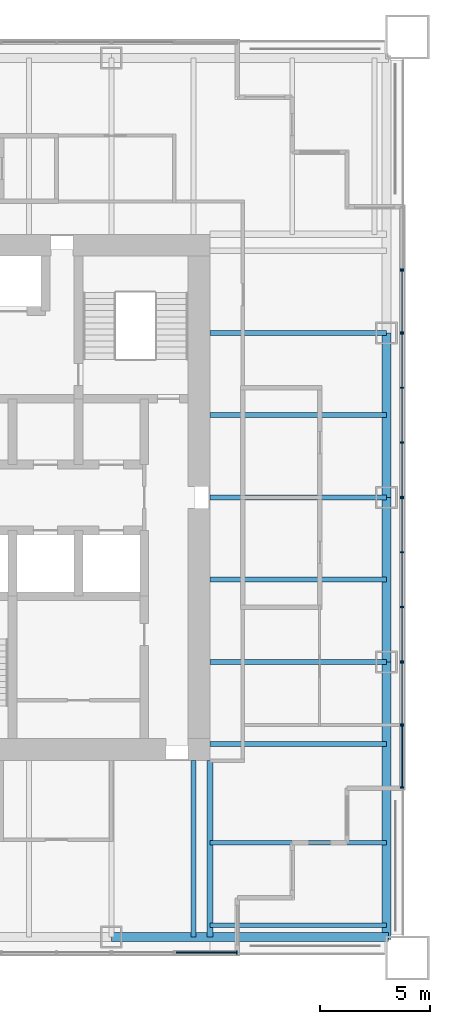
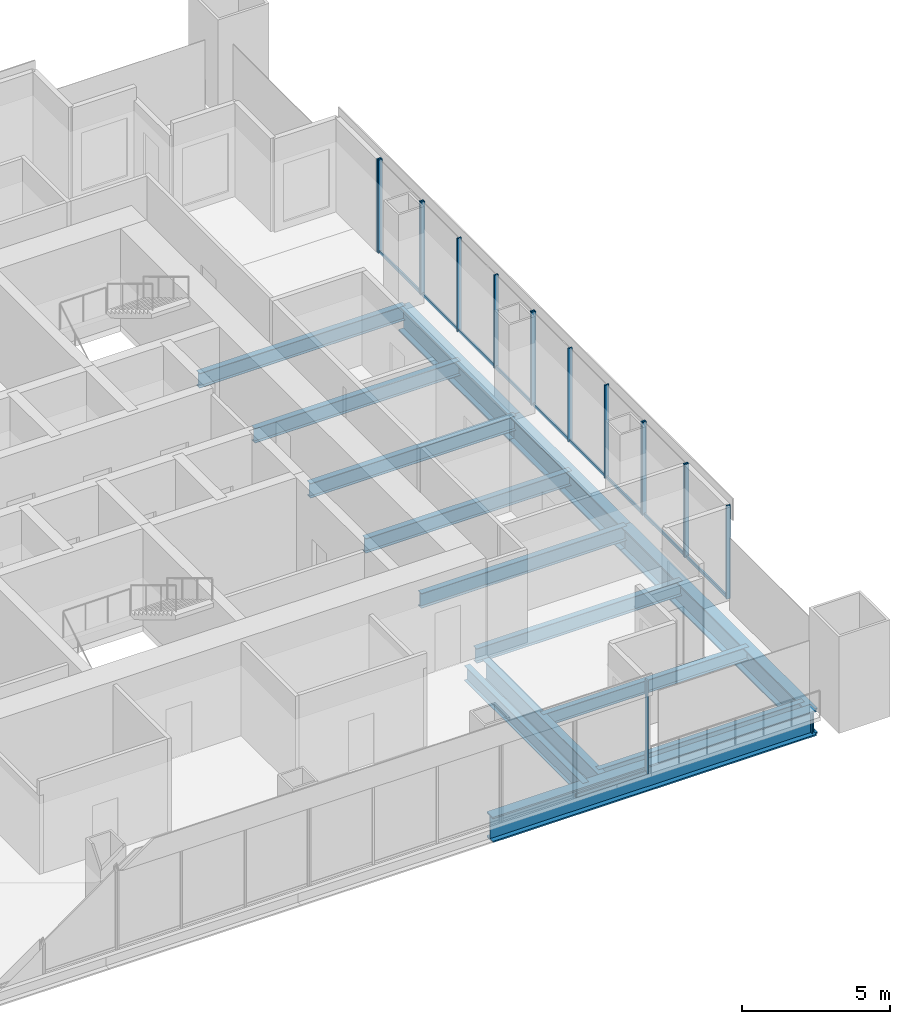
# One storey, part 5 of 14: 26 members, 14 beams, 7 elements without a shape of their own.
"""IFC4 building model written with IfcOpenShell, lengths in metres."""

from ifc_helpers import new_model, si_unit, direction, frame, origin, origin_2d, place, context, subcontext, project, spatial, rectangle, i_section, extrude, material, material_profile, profile_set, type_object, element, aggregate, save


model = new_model("IFC4")

# Units and contexts
model_context = context("Model", 3, precision=1e-05, world=origin(), true_north=direction((0.0, 1.0)))
body_context = subcontext(model_context, "Body", "Model", "MODEL_VIEW")
ifc_project = project(units=[si_unit("LENGTHUNIT", "METRE"), si_unit("AREAUNIT", "SQUARE_METRE"), si_unit("VOLUMEUNIT", "CUBIC_METRE"), si_unit("PLANEANGLEUNIT", "RADIAN"), si_unit("MASSUNIT", "GRAM", prefix="KILO")], contexts=[model_context])

# Site, building, storey
site_placement = place(None, origin())
site = spatial("IfcSite", under=ifc_project, at=site_placement, CompositionType="ELEMENT")
building_placement = place(site_placement, origin())
building = spatial("IfcBuilding", under=site, at=building_placement, Name="Tarangal Relay Tower", CompositionType="ELEMENT")
storey_placement = place(building_placement, frame((0.0, 0.0, 327.89990234375)))
storey = spatial("IfcBuildingStorey", under=building, at=storey_placement, Name="L73", CompositionType="ELEMENT", Elevation=327.89990234375)

# Beams
ifc_material_1 = material(Name="Steel ASTM A992", Category="steel")
ifc_material_profile_1 = material_profile(ifc_material_1, i_section(OverallWidth=0.209228515625, OverallDepth=0.533447265625, WebThickness=0.01025390625, FlangeThickness=0.015625, at=origin_2d()), Name="W21X62")
ifc_profile_set_1 = profile_set([ifc_material_profile_1], Name="Steel ASTM A992")
beam_type_1 = type_object("IfcBeamType", Name="Corner beam W21X62", PredefinedType="JOIST", material=ifc_profile_set_1)
for number, where, z_axis, x_axis, name in (
    (1, (12.0, -15.75, -0.41650390625), (1.0, 0.0, 0.0), (0.0, 1.0, 0.0), "Corner beam CB12 E L73"),
    (2, (12.0, -19.5, -0.41650390625), (1.0, 0.0, 0.0), (0.0, 1.0, 0.0), "Corner beam CB12 E L73"),
):
    element("IfcBeam", number, at=place(storey_placement, frame(where, z_axis=z_axis, x_axis=x_axis)), inside=storey, type_object=beam_type_1, Name=name, PredefinedType="JOIST", context=body_context, shape_type="SweptSolid", body=[
        extrude(i_section(OverallWidth=0.209228515625, OverallDepth=0.533447265625, WebThickness=0.01025390625, FlangeThickness=0.015625, at=origin_2d()), origin(), (0.0, 0.0, 1.0), 8.0400390625),
    ])
ifc_material_profile_2 = material_profile(ifc_material_1, i_section(OverallWidth=0.2919921875, OverallDepth=0.8408203125, WebThickness=0.0146484375, FlangeThickness=0.021728515625, at=origin_2d()), Name="W33X130")
ifc_profile_set_2 = profile_set([ifc_material_profile_2], Name="Steel ASTM A992")
beam_type_2 = type_object("IfcBeamType", Name="Corner girder W33X130", PredefinedType="BEAM", material=ifc_profile_set_2)
beam_placement = place(storey_placement, frame((12.0, -12.0, -0.5703125), z_axis=(0.0, -1.0, 0.0), x_axis=(1.0, 0.0, 0.0)))
element("IfcBeam", 3, at=beam_placement, inside=storey, type_object=beam_type_2, Name="Corner girder CG5 E L73", PredefinedType="BEAM", context=body_context, shape_type="SweptSolid", body=[
    extrude(i_section(OverallWidth=0.2919921875, OverallDepth=0.8408203125, WebThickness=0.0146484375, FlangeThickness=0.021728515625, at=origin_2d()), origin(), (0.0, 0.0, 1.0), 8.0400390625),
])
ifc_material_profile_3 = material_profile(ifc_material_1, i_section(OverallWidth=0.41162109375, OverallDepth=1.049072265625, WebThickness=0.033935546875, FlangeThickness=0.059814453125, at=origin_2d()), Name="W40X431")
ifc_profile_set_3 = profile_set([ifc_material_profile_3], Name="Steel ASTM A992")
beam_type_3 = type_object("IfcBeamType", Name="Edge girder W40X431", PredefinedType="SPANDREL", material=ifc_profile_set_3)
for number, where, z_axis, x_axis, name in (
    (4, (20.0400390625, 7.5, -0.67431640625), (0.0, -1.0, 0.0), (1.0, 0.0, 0.0), "Edge girder EG1 E L73"),
    (5, (20.0400390625, 0.0, -0.67431640625), (0.0, -1.0, 0.0), (1.0, 0.0, 0.0), "Edge girder EG1 E L73"),
):
    element("IfcBeam", number, at=place(storey_placement, frame(where, z_axis=z_axis, x_axis=x_axis)), inside=storey, type_object=beam_type_3, Name=name, PredefinedType="SPANDREL", context=body_context, shape_type="SweptSolid", body=[
        extrude(i_section(OverallWidth=0.41162109375, OverallDepth=1.049072265625, WebThickness=0.033935546875, FlangeThickness=0.059814453125, at=origin_2d()), origin(), (0.0, 0.0, 1.0), 7.5),
    ])
for number, where, z_axis, x_axis, name in (
    (6, (20.0400390625, -7.5, -0.67431640625), (0.0, -1.0, 0.0), (1.0, 0.0, 0.0), "Edge girder EG1 E L73"),
    (7, (20.14990234375, -20.0400390625, -0.67431640625), (-1.0, 0.0, 0.0), (0.0, -1.0, 0.0), "Edge girder EG1 S L73"),
):
    element("IfcBeam", number, at=place(storey_placement, frame(where, z_axis=z_axis, x_axis=x_axis)), inside=storey, type_object=beam_type_3, Name=name, PredefinedType="SPANDREL", context=body_context, shape_type="SweptSolid", body=[
        extrude(i_section(OverallWidth=0.41162109375, OverallDepth=1.049072265625, WebThickness=0.033935546875, FlangeThickness=0.059814453125, at=origin_2d()), origin(), (0.0, 0.0, 1.0), 12.64990234375),
    ])
ifc_material_profile_4 = material_profile(ifc_material_1, i_section(OverallWidth=0.228271484375, OverallDepth=0.607177734375, WebThickness=0.01123046875, FlangeThickness=0.017333984375, at=origin_2d()), Name="W24X76")
ifc_profile_set_4 = profile_set([ifc_material_profile_4], Name="Steel ASTM A992")
beam_type_4 = type_object("IfcBeamType", Name="Floor beam W24X76", PredefinedType="BEAM", material=ifc_profile_set_4)
for number, where, z_axis, x_axis, name in (
    (8, (12.0, 7.5, -0.453369140625), (1.0, 0.0, 0.0), (0.0, 1.0, 0.0), "Floor beam RB5 E L73"),
    (9, (12.0, 3.75, -0.453369140625), (1.0, 0.0, 0.0), (0.0, 1.0, 0.0), "Floor beam RB5 E L73"),
    (10, (12.0, 0.0, -0.453369140625), (1.0, 0.0, 0.0), (0.0, 1.0, 0.0), "Floor beam RB5 E L73"),
    (11, (12.0, -3.75, -0.453369140625), (1.0, 0.0, 0.0), (0.0, 1.0, 0.0), "Floor beam RB5 E L73"),
    (12, (12.0, -7.5, -0.453369140625), (1.0, 0.0, 0.0), (0.0, 1.0, 0.0), "Floor beam RB5 E L73"),
    (13, (12.0, -11.25, -0.453369140625), (1.0, 0.0, 0.0), (0.0, 1.0, 0.0), "Floor beam RB5 E L73"),
    (14, (11.25, -12.0, -0.453369140625), (0.0, -1.0, 0.0), (1.0, 0.0, 0.0), "Floor beam RB5 S L73"),
):
    element("IfcBeam", number, at=place(storey_placement, frame(where, z_axis=z_axis, x_axis=x_axis)), inside=storey, type_object=beam_type_4, Name=name, PredefinedType="BEAM", context=body_context, shape_type="SweptSolid", body=[
        extrude(i_section(OverallWidth=0.228271484375, OverallDepth=0.607177734375, WebThickness=0.01123046875, FlangeThickness=0.017333984375, at=origin_2d()), origin(), (0.0, 0.0, 1.0), 8.0400390625),
    ])

# Curtain wall, members
ifc_material_2 = material(Name="Unitised curtain wall, dark glass and black aluminium", Category="aluminium")
curtain_wall_type_1 = type_object("IfcCurtainWallType", Name="Curtain wall CW-B", PredefinedType="USERDEFINED", material=ifc_material_2)
curtain_wall_1_placement = place(storey_placement, origin())
curtain_wall_1 = element("IfcCurtainWall", 15, at=curtain_wall_1_placement, inside=storey, type_object=curtain_wall_type_1, Name="Curtain wall CW-B E facade L73", ObjectType="UNITISED CURTAIN WALL", PredefinedType="USERDEFINED")
ifc_material_3 = material(Name="Black anodised aluminium mullion", Category="aluminium")
ifc_material_profile_5 = material_profile(ifc_material_3, rectangle(XDim=0.159912109375, YDim=0.06005859375, at=origin_2d()), Name="CW-BM 60X160")
ifc_profile_set_5 = profile_set([ifc_material_profile_5], Name="Black anodised aluminium mullion")
member_type_1 = type_object("IfcMemberType", Name="Mullion CW-B 60 x 160", PredefinedType="MULLION", material=ifc_profile_set_5)
member_1_placement = place(storey_placement, frame((20.75, 10.344970703125, 0.0), z_axis=(0.0, 0.0, 1.0), x_axis=(1.0, 0.0, 0.0)))
member_1 = element("IfcMember", 16, at=member_1_placement, type_object=member_type_1, Name="CW-B mullion 1", PredefinedType="MULLION", context=body_context, shape_type="SweptSolid", body=[
    extrude(rectangle(XDim=0.159912109375, YDim=0.06005859375, at=origin_2d()), origin(), (0.0, 0.0, 1.0), 3.85009765625),
])
member_2_placement = place(storey_placement, frame((20.75, 7.530029296875, 0.0), z_axis=(0.0, 0.0, 1.0), x_axis=(1.0, 0.0, 0.0)))
member_2 = element("IfcMember", 17, at=member_2_placement, type_object=member_type_1, Name="CW-B mullion 2", PredefinedType="MULLION", context=body_context, shape_type="SweptSolid", body=[
    extrude(rectangle(XDim=0.159912109375, YDim=0.06005859375, at=origin_2d()), origin(), (0.0, 0.0, 1.0), 3.85009765625),
])

curtain_wall_2_placement = place(storey_placement, origin())
curtain_wall_2 = element("IfcCurtainWall", 18, at=curtain_wall_2_placement, inside=storey, type_object=curtain_wall_type_1, Name="Curtain wall CW-B E facade L73", ObjectType="UNITISED CURTAIN WALL", PredefinedType="USERDEFINED")
member_3_placement = place(storey_placement, frame((20.75, 7.469970703125, 0.0), z_axis=(0.0, 0.0, 1.0), x_axis=(1.0, 0.0, 0.0)))
member_3 = element("IfcMember", 19, at=member_3_placement, type_object=member_type_1, Name="CW-B mullion 1", PredefinedType="MULLION", context=body_context, shape_type="SweptSolid", body=[
    extrude(rectangle(XDim=0.159912109375, YDim=0.06005859375, at=origin_2d()), origin(), (0.0, 0.0, 1.0), 3.85009765625),
])
member_4_placement = place(storey_placement, frame((20.75, 5.0, 0.0), z_axis=(0.0, 0.0, 1.0), x_axis=(1.0, 0.0, 0.0)))
member_4 = element("IfcMember", 20, at=member_4_placement, type_object=member_type_1, Name="CW-B mullion 2", PredefinedType="MULLION", context=body_context, shape_type="SweptSolid", body=[
    extrude(rectangle(XDim=0.159912109375, YDim=0.06005859375, at=origin_2d()), origin(), (0.0, 0.0, 1.0), 3.85009765625),
])
member_5_placement = place(storey_placement, frame((20.75, 2.5, 0.0), z_axis=(0.0, 0.0, 1.0), x_axis=(1.0, 0.0, 0.0)))
member_5 = element("IfcMember", 21, at=member_5_placement, type_object=member_type_1, Name="CW-B mullion 3", PredefinedType="MULLION", context=body_context, shape_type="SweptSolid", body=[
    extrude(rectangle(XDim=0.159912109375, YDim=0.06005859375, at=origin_2d()), origin(), (0.0, 0.0, 1.0), 3.85009765625),
])
member_6_placement = place(storey_placement, frame((20.75, 0.030029296875, 0.0), z_axis=(0.0, 0.0, 1.0), x_axis=(1.0, 0.0, 0.0)))
member_6 = element("IfcMember", 22, at=member_6_placement, type_object=member_type_1, Name="CW-B mullion 4", PredefinedType="MULLION", context=body_context, shape_type="SweptSolid", body=[
    extrude(rectangle(XDim=0.159912109375, YDim=0.06005859375, at=origin_2d()), origin(), (0.0, 0.0, 1.0), 3.85009765625),
])

curtain_wall_3_placement = place(storey_placement, origin())
curtain_wall_3 = element("IfcCurtainWall", 23, at=curtain_wall_3_placement, inside=storey, type_object=curtain_wall_type_1, Name="Curtain wall CW-B E facade L73", ObjectType="UNITISED CURTAIN WALL", PredefinedType="USERDEFINED")
member_7_placement = place(storey_placement, frame((20.75, -0.030029296875, 0.0), z_axis=(0.0, 0.0, 1.0), x_axis=(1.0, 0.0, 0.0)))
member_7 = element("IfcMember", 24, at=member_7_placement, type_object=member_type_1, Name="CW-B mullion 1", PredefinedType="MULLION", context=body_context, shape_type="SweptSolid", body=[
    extrude(rectangle(XDim=0.159912109375, YDim=0.06005859375, at=origin_2d()), origin(), (0.0, 0.0, 1.0), 3.85009765625),
])
member_8_placement = place(storey_placement, frame((20.75, -2.5, 0.0), z_axis=(0.0, 0.0, 1.0), x_axis=(1.0, 0.0, 0.0)))
member_8 = element("IfcMember", 25, at=member_8_placement, type_object=member_type_1, Name="CW-B mullion 2", PredefinedType="MULLION", context=body_context, shape_type="SweptSolid", body=[
    extrude(rectangle(XDim=0.159912109375, YDim=0.06005859375, at=origin_2d()), origin(), (0.0, 0.0, 1.0), 3.85009765625),
])
member_9_placement = place(storey_placement, frame((20.75, -5.0, 0.0), z_axis=(0.0, 0.0, 1.0), x_axis=(1.0, 0.0, 0.0)))
member_9 = element("IfcMember", 26, at=member_9_placement, type_object=member_type_1, Name="CW-B mullion 3", PredefinedType="MULLION", context=body_context, shape_type="SweptSolid", body=[
    extrude(rectangle(XDim=0.159912109375, YDim=0.06005859375, at=origin_2d()), origin(), (0.0, 0.0, 1.0), 3.85009765625),
])
member_10_placement = place(storey_placement, frame((20.75, -7.469970703125, 0.0), z_axis=(0.0, 0.0, 1.0), x_axis=(1.0, 0.0, 0.0)))
member_10 = element("IfcMember", 27, at=member_10_placement, type_object=member_type_1, Name="CW-B mullion 4", PredefinedType="MULLION", context=body_context, shape_type="SweptSolid", body=[
    extrude(rectangle(XDim=0.159912109375, YDim=0.06005859375, at=origin_2d()), origin(), (0.0, 0.0, 1.0), 3.85009765625),
])

curtain_wall_4_placement = place(storey_placement, origin())
curtain_wall_4 = element("IfcCurtainWall", 28, at=curtain_wall_4_placement, inside=storey, type_object=curtain_wall_type_1, Name="Curtain wall CW-B E facade L73", ObjectType="UNITISED CURTAIN WALL", PredefinedType="USERDEFINED")
member_11_placement = place(storey_placement, frame((20.75, -7.530029296875, 0.0), z_axis=(0.0, 0.0, 1.0), x_axis=(1.0, 0.0, 0.0)))
member_11 = element("IfcMember", 29, at=member_11_placement, type_object=member_type_1, Name="CW-B mullion 1", PredefinedType="MULLION", context=body_context, shape_type="SweptSolid", body=[
    extrude(rectangle(XDim=0.159912109375, YDim=0.06005859375, at=origin_2d()), origin(), (0.0, 0.0, 1.0), 3.85009765625),
])
member_12_placement = place(storey_placement, frame((20.75, -10.344970703125, 0.0), z_axis=(0.0, 0.0, 1.0), x_axis=(1.0, 0.0, 0.0)))
member_12 = element("IfcMember", 30, at=member_12_placement, type_object=member_type_1, Name="CW-B mullion 2", PredefinedType="MULLION", context=body_context, shape_type="SweptSolid", body=[
    extrude(rectangle(XDim=0.159912109375, YDim=0.06005859375, at=origin_2d()), origin(), (0.0, 0.0, 1.0), 3.85009765625),
])

# Curtain wall, member
ifc_material_4 = material(Name="Unitised curtain wall frame, black aluminium, with metal clad infill walls", Category="aluminium")
curtain_wall_type_2 = type_object("IfcCurtainWallType", Name="Curtain wall CW-BO", PredefinedType="USERDEFINED", material=ifc_material_4)
curtain_wall_5_placement = place(storey_placement, origin())
curtain_wall_5 = element("IfcCurtainWall", 31, at=curtain_wall_5_placement, inside=storey, type_object=curtain_wall_type_2, Name="Curtain wall CW-BO E facade L73", ObjectType="UNITISED CURTAIN WALL", PredefinedType="USERDEFINED")
ifc_material_profile_6 = material_profile(ifc_material_3, rectangle(XDim=0.159912109375, YDim=0.06005859375, at=origin_2d()), Name="CW-BOM 60X160")
ifc_profile_set_6 = profile_set([ifc_material_profile_6], Name="Black anodised aluminium mullion")
member_type_2 = type_object("IfcMemberType", Name="Mullion CW-BO 60 x 160", PredefinedType="MULLION", material=ifc_profile_set_6)
member_13_placement = place(storey_placement, frame((20.75, 10.405029296875, 0.0), z_axis=(0.0, 0.0, 1.0), x_axis=(1.0, 0.0, 0.0)))
member_13 = element("IfcMember", 32, at=member_13_placement, type_object=member_type_2, Name="CW-BO mullion 2", PredefinedType="MULLION", context=body_context, shape_type="SweptSolid", body=[
    extrude(rectangle(XDim=0.159912109375, YDim=0.06005859375, at=origin_2d()), origin(), (0.0, 0.0, 1.0), 3.85009765625),
])
aggregate(curtain_wall_5, [member_13])

# Curtain wall, members
curtain_wall_6_placement = place(storey_placement, origin())
curtain_wall_6 = element("IfcCurtainWall", 33, at=curtain_wall_6_placement, inside=storey, type_object=curtain_wall_type_2, Name="Curtain wall CW-BO E facade L73", ObjectType="UNITISED CURTAIN WALL", PredefinedType="USERDEFINED")
member_14_placement = place(storey_placement, frame((20.75, -10.405029296875, 0.0), z_axis=(0.0, 0.0, 1.0), x_axis=(1.0, 0.0, 0.0)))
member_14 = element("IfcMember", 34, at=member_14_placement, type_object=member_type_2, Name="CW-BO mullion 1", PredefinedType="MULLION", context=body_context, shape_type="SweptSolid", body=[
    extrude(rectangle(XDim=0.159912109375, YDim=0.06005859375, at=origin_2d()), origin(), (0.0, 0.0, 1.0), 3.85009765625),
])
member_15_placement = place(storey_placement, frame((20.75, -13.219970703125, 0.0), z_axis=(0.0, 0.0, 1.0), x_axis=(1.0, 0.0, 0.0)))
member_15 = element("IfcMember", 35, at=member_15_placement, type_object=member_type_2, Name="CW-BO mullion 2", PredefinedType="MULLION", context=body_context, shape_type="SweptSolid", body=[
    extrude(rectangle(XDim=0.159912109375, YDim=0.06005859375, at=origin_2d()), origin(), (0.0, 0.0, 1.0), 3.85009765625),
])

# Curtain wall, member
curtain_wall_7_placement = place(storey_placement, origin())
curtain_wall_7 = element("IfcCurtainWall", 36, at=curtain_wall_7_placement, inside=storey, type_object=curtain_wall_type_2, Name="Curtain wall CW-BO S facade L73", ObjectType="UNITISED CURTAIN WALL", PredefinedType="USERDEFINED")
member_16_placement = place(storey_placement, frame((13.219970703125, -20.75, 0.0), z_axis=(0.0, 0.0, 1.0), x_axis=(0.0, -1.0, 0.0)))
member_16 = element("IfcMember", 37, at=member_16_placement, type_object=member_type_2, Name="CW-BO mullion 1", PredefinedType="MULLION", context=body_context, shape_type="SweptSolid", body=[
    extrude(rectangle(XDim=0.159912109375, YDim=0.06005859375, at=origin_2d()), origin(), (0.0, 0.0, 1.0), 3.85009765625),
])

# Member
ifc_material_5 = material(Name="Black anodised aluminium transom", Category="aluminium")
ifc_material_profile_7 = material_profile(ifc_material_5, rectangle(XDim=0.06005859375, YDim=0.1298828125, at=origin_2d()), Name="CW-BT 60X130")
ifc_profile_set_7 = profile_set([ifc_material_profile_7], Name="Black anodised aluminium transom")
member_type_3 = type_object("IfcMemberType", Name="Transom CW-B 60 x 130", PredefinedType="USERDEFINED", material=ifc_profile_set_7)
member_17_placement = place(storey_placement, frame((20.75, 10.31494140625, 0.030029296875), z_axis=(0.0, -1.0, 0.0), x_axis=(1.0, 0.0, 0.0)))
member_17 = element("IfcMember", 38, at=member_17_placement, type_object=member_type_3, Name="CW-B transom 1.1", ObjectType="TRANSOM", PredefinedType="USERDEFINED", context=body_context, shape_type="SweptSolid", body=[
    extrude(rectangle(XDim=0.06005859375, YDim=0.1298828125, at=origin_2d()), origin(), (0.0, 0.0, 1.0), 2.7548828125),
])

aggregate(curtain_wall_1, [member_1, member_2, member_17])

member_18_placement = place(storey_placement, frame((20.75, 7.43994140625, 0.030029296875), z_axis=(0.0, -1.0, 0.0), x_axis=(1.0, 0.0, 0.0)))
member_18 = element("IfcMember", 39, at=member_18_placement, type_object=member_type_3, Name="CW-B transom 1.1", ObjectType="TRANSOM", PredefinedType="USERDEFINED", context=body_context, shape_type="SweptSolid", body=[
    extrude(rectangle(XDim=0.06005859375, YDim=0.1298828125, at=origin_2d()), origin(), (0.0, 0.0, 1.0), 2.409912109375),
])

member_19_placement = place(storey_placement, frame((20.75, 4.969970703125, 0.030029296875), z_axis=(0.0, -1.0, 0.0), x_axis=(1.0, 0.0, 0.0)))
member_19 = element("IfcMember", 40, at=member_19_placement, type_object=member_type_3, Name="CW-B transom 2.1", ObjectType="TRANSOM", PredefinedType="USERDEFINED", context=body_context, shape_type="SweptSolid", body=[
    extrude(rectangle(XDim=0.06005859375, YDim=0.1298828125, at=origin_2d()), origin(), (0.0, 0.0, 1.0), 2.43994140625),
])

member_20_placement = place(storey_placement, frame((20.75, 2.469970703125, 0.030029296875), z_axis=(0.0, -1.0, 0.0), x_axis=(1.0, 0.0, 0.0)))
member_20 = element("IfcMember", 41, at=member_20_placement, type_object=member_type_3, Name="CW-B transom 3.1", ObjectType="TRANSOM", PredefinedType="USERDEFINED", context=body_context, shape_type="SweptSolid", body=[
    extrude(rectangle(XDim=0.06005859375, YDim=0.1298828125, at=origin_2d()), origin(), (0.0, 0.0, 1.0), 2.409912109375),
])

aggregate(curtain_wall_2, [member_3, member_4, member_5, member_6, member_18, member_19, member_20])

member_21_placement = place(storey_placement, frame((20.75, -0.06005859375, 0.030029296875), z_axis=(0.0, -1.0, 0.0), x_axis=(1.0, 0.0, 0.0)))
member_21 = element("IfcMember", 42, at=member_21_placement, type_object=member_type_3, Name="CW-B transom 1.1", ObjectType="TRANSOM", PredefinedType="USERDEFINED", context=body_context, shape_type="SweptSolid", body=[
    extrude(rectangle(XDim=0.06005859375, YDim=0.1298828125, at=origin_2d()), origin(), (0.0, 0.0, 1.0), 2.409912109375),
])

member_22_placement = place(storey_placement, frame((20.75, -2.530029296875, 0.030029296875), z_axis=(0.0, -1.0, 0.0), x_axis=(1.0, 0.0, 0.0)))
member_22 = element("IfcMember", 43, at=member_22_placement, type_object=member_type_3, Name="CW-B transom 2.1", ObjectType="TRANSOM", PredefinedType="USERDEFINED", context=body_context, shape_type="SweptSolid", body=[
    extrude(rectangle(XDim=0.06005859375, YDim=0.1298828125, at=origin_2d()), origin(), (0.0, 0.0, 1.0), 2.43994140625),
])

member_23_placement = place(storey_placement, frame((20.75, -5.030029296875, 0.030029296875), z_axis=(0.0, -1.0, 0.0), x_axis=(1.0, 0.0, 0.0)))
member_23 = element("IfcMember", 44, at=member_23_placement, type_object=member_type_3, Name="CW-B transom 3.1", ObjectType="TRANSOM", PredefinedType="USERDEFINED", context=body_context, shape_type="SweptSolid", body=[
    extrude(rectangle(XDim=0.06005859375, YDim=0.1298828125, at=origin_2d()), origin(), (0.0, 0.0, 1.0), 2.409912109375),
])

aggregate(curtain_wall_3, [member_7, member_8, member_9, member_10, member_21, member_22, member_23])

member_24_placement = place(storey_placement, frame((20.75, -7.56005859375, 0.030029296875), z_axis=(0.0, -1.0, 0.0), x_axis=(1.0, 0.0, 0.0)))
member_24 = element("IfcMember", 45, at=member_24_placement, type_object=member_type_3, Name="CW-B transom 1.1", ObjectType="TRANSOM", PredefinedType="USERDEFINED", context=body_context, shape_type="SweptSolid", body=[
    extrude(rectangle(XDim=0.06005859375, YDim=0.1298828125, at=origin_2d()), origin(), (0.0, 0.0, 1.0), 2.7548828125),
])

aggregate(curtain_wall_4, [member_11, member_12, member_24])

ifc_material_profile_8 = material_profile(ifc_material_5, rectangle(XDim=0.06005859375, YDim=0.1298828125, at=origin_2d()), Name="CW-BOT 60X130")
ifc_profile_set_8 = profile_set([ifc_material_profile_8], Name="Black anodised aluminium transom")
member_type_4 = type_object("IfcMemberType", Name="Transom CW-BO 60 x 130", PredefinedType="USERDEFINED", material=ifc_profile_set_8)
member_25_placement = place(storey_placement, frame((20.75, -10.43505859375, 0.030029296875), z_axis=(0.0, -1.0, 0.0), x_axis=(1.0, 0.0, 0.0)))
member_25 = element("IfcMember", 46, at=member_25_placement, type_object=member_type_4, Name="CW-BO transom 1.1", ObjectType="TRANSOM", PredefinedType="USERDEFINED", context=body_context, shape_type="SweptSolid", body=[
    extrude(rectangle(XDim=0.06005859375, YDim=0.1298828125, at=origin_2d()), origin(), (0.0, 0.0, 1.0), 2.7548828125),
])

aggregate(curtain_wall_6, [member_14, member_15, member_25])

member_26_placement = place(storey_placement, frame((13.18994140625, -20.75, 0.030029296875), z_axis=(-1.0, 0.0, 0.0), x_axis=(0.0, -1.0, 0.0)))
member_26 = element("IfcMember", 47, at=member_26_placement, type_object=member_type_4, Name="CW-BO transom 1.1", ObjectType="TRANSOM", PredefinedType="USERDEFINED", context=body_context, shape_type="SweptSolid", body=[
    extrude(rectangle(XDim=0.06005859375, YDim=0.1298828125, at=origin_2d()), origin(), (0.0, 0.0, 1.0), 2.7548828125),
])

aggregate(curtain_wall_7, [member_16, member_26])

save(model, "model.ifc")
